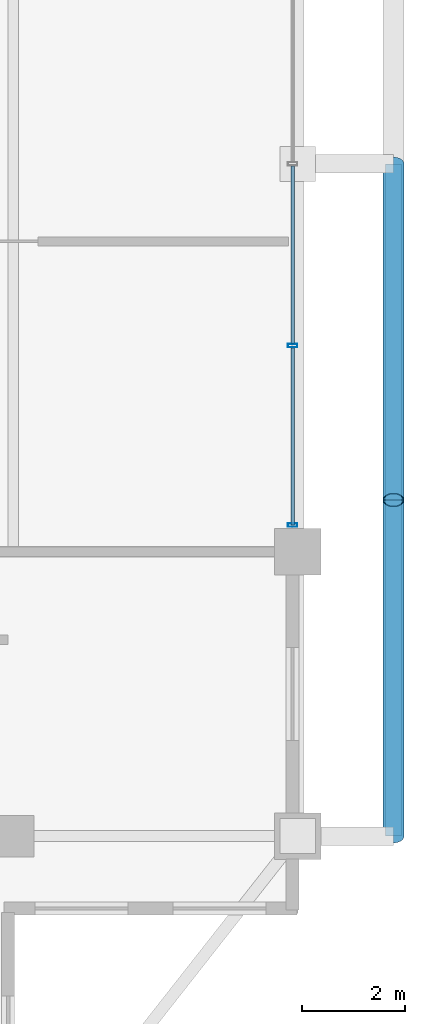
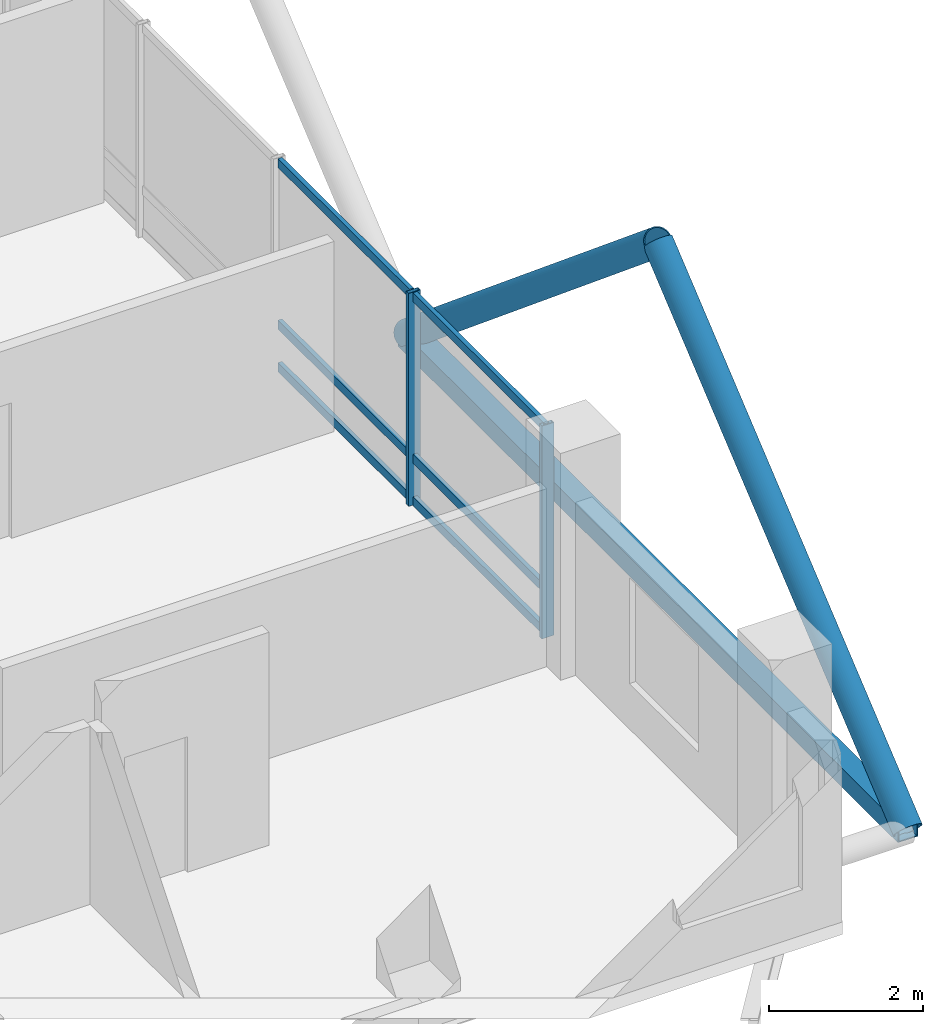
# One storey, part 12 of 24: 11 members, 1 element without a shape of its own.
"""IFC4 building model written with IfcOpenShell, lengths in metres."""

from ifc_helpers import new_model, si_unit, direction, frame, origin, origin_2d, place, context, subcontext, project, spatial, hollow_rectangle, hollow_circle, extrude, material, layer, layer_set, material_profile, profile_set, type_object, element, aggregate, save


model = new_model("IFC4")

# Units and contexts
model_context = context("Model", 3, precision=1e-05, world=origin(), true_north=direction((0.0, 1.0)))
body_context = subcontext(model_context, "Body", "Model", "MODEL_VIEW")
ifc_project = project(units=[si_unit("LENGTHUNIT", "METRE"), si_unit("AREAUNIT", "SQUARE_METRE"), si_unit("VOLUMEUNIT", "CUBIC_METRE"), si_unit("PLANEANGLEUNIT", "RADIAN"), si_unit("MASSUNIT", "GRAM", prefix="KILO")], contexts=[model_context])

# Site, building, storey
site_placement = place(None, origin())
site = spatial("IfcSite", under=ifc_project, at=site_placement, CompositionType="ELEMENT")
building_placement = place(site_placement, origin())
building = spatial("IfcBuilding", under=site, at=building_placement, Name="Barlavira Tower and Art Museum", CompositionType="ELEMENT")
storey_placement = place(building_placement, frame((0.0, 0.0, 272.699951171875)))
storey = spatial("IfcBuildingStorey", under=building, at=storey_placement, Name="L71", CompositionType="ELEMENT", Elevation=272.699951171875)

# Curtain wall, members
ifc_material_1 = material(Name="Low-iron coastal laminated glass", Category="glass")
ifc_layer = layer(ifc_material_1, 0.2099609375, Name="Low-iron coastal laminated glass")
ifc_layer_set = layer_set([ifc_layer], Name="Low-iron coastal laminated glass")
curtain_wall_type = type_object("IfcCurtainWallType", Name="Pale-Metal Unitised Curtain Wall Zone 4", PredefinedType="NOTDEFINED", material=ifc_layer_set)
curtain_wall_placement = place(storey_placement, origin())
curtain_wall = element("IfcCurtainWall", 1, at=curtain_wall_placement, inside=storey, type_object=curtain_wall_type, Name="L71 Curtain Wall CW4-L71-E-B3", PredefinedType="NOTDEFINED")
ifc_material_2 = material(Name="Pale anodised aluminium", Category="aluminium")
ifc_material_profile_1 = material_profile(ifc_material_2, hollow_rectangle(XDim=0.06494140625, YDim=0.179931640625, WallThickness=0.00390625, at=origin_2d()), Name="ALU-MULL 65x180x4")
ifc_profile_set_1 = profile_set([ifc_material_profile_1], Name="Pale anodised aluminium")
member_type_1 = type_object("IfcMemberType", Name="Curtain Wall Pale-Metal Mullion 65x180", PredefinedType="MULLION", material=ifc_profile_set_1)
member_1_placement = place(storey_placement, frame((16.89990234375, -6.985107421875, 0.0), z_axis=(0.0, 0.0, 1.0), x_axis=(0.0, 1.0, 0.0)))
member_1 = element("IfcMember", 2, at=member_1_placement, type_object=member_type_1, Name="CW4-L71-E-B3 Mullion 0", PredefinedType="MULLION", context=body_context, shape_type="SweptSolid", body=[
    extrude(hollow_rectangle(XDim=0.06494140625, YDim=0.179931640625, WallThickness=0.00390625, at=origin_2d()), origin(), (0.0, 0.0, 1.0), 3.380126953125),
])
member_2_placement = place(storey_placement, frame((16.89990234375, -3.514892578125, 0.0), z_axis=(0.0, 0.0, 1.0), x_axis=(0.0, 1.0, 0.0)))
member_2 = element("IfcMember", 3, at=member_2_placement, type_object=member_type_1, Name="CW4-L71-E-B3 Mullion 1", PredefinedType="MULLION", context=body_context, shape_type="SweptSolid", body=[
    extrude(hollow_rectangle(XDim=0.06494140625, YDim=0.179931640625, WallThickness=0.00390625, at=origin_2d()), origin(), (0.0, 0.0, 1.0), 3.380126953125),
])
ifc_material_profile_2 = material_profile(ifc_material_2, hollow_rectangle(XDim=0.06494140625, YDim=0.139892578125, WallThickness=0.00390625, at=origin_2d()), Name="ALU-TRAN 65x140x4")
ifc_profile_set_2 = profile_set([ifc_material_profile_2], Name="Pale anodised aluminium")
member_type_2 = type_object("IfcMemberType", Name="Curtain Wall Pale-Metal Transom 65x140", PredefinedType="USERDEFINED", material=ifc_profile_set_2)
member_3_placement = place(storey_placement, frame((16.89990234375, -6.985107421875, 0.070068359375), z_axis=(0.0, 1.0, 0.0), x_axis=(-1.0, 0.0, 0.0)))
member_3 = element("IfcMember", 4, at=member_3_placement, type_object=member_type_2, Name="CW4-L71-E-B3 Transom 0.1", ObjectType="TRANSOM", PredefinedType="USERDEFINED", context=body_context, shape_type="SweptSolid", body=[
    extrude(hollow_rectangle(XDim=0.06494140625, YDim=0.139892578125, WallThickness=0.00390625, at=origin_2d()), origin(), (0.0, 0.0, 1.0), 3.425048828125),
])
member_4_placement = place(storey_placement, frame((16.89990234375, -6.985107421875, 0.744140625), z_axis=(0.0, 1.0, 0.0), x_axis=(-1.0, 0.0, 0.0)))
member_4 = element("IfcMember", 5, at=member_4_placement, type_object=member_type_2, Name="CW4-L71-E-B3 Transom 0.2", ObjectType="TRANSOM", PredefinedType="USERDEFINED", context=body_context, shape_type="SweptSolid", body=[
    extrude(hollow_rectangle(XDim=0.06494140625, YDim=0.139892578125, WallThickness=0.00390625, at=origin_2d()), origin(), (0.0, 0.0, 1.0), 3.425048828125),
])
member_5_placement = place(storey_placement, frame((16.89990234375, -6.985107421875, 3.31005859375), z_axis=(0.0, 1.0, 0.0), x_axis=(-1.0, 0.0, 0.0)))
member_5 = element("IfcMember", 6, at=member_5_placement, type_object=member_type_2, Name="CW4-L71-E-B3 Transom 0.3", ObjectType="TRANSOM", PredefinedType="USERDEFINED", context=body_context, shape_type="SweptSolid", body=[
    extrude(hollow_rectangle(XDim=0.06494140625, YDim=0.139892578125, WallThickness=0.00390625, at=origin_2d()), origin(), (0.0, 0.0, 1.0), 3.425048828125),
])
member_6_placement = place(storey_placement, frame((16.89990234375, -3.469970703125, 0.070068359375), z_axis=(0.0, 1.0, 0.0), x_axis=(-1.0, 0.0, 0.0)))
member_6 = element("IfcMember", 7, at=member_6_placement, type_object=member_type_2, Name="CW4-L71-E-B3 Transom 1.1", ObjectType="TRANSOM", PredefinedType="USERDEFINED", context=body_context, shape_type="SweptSolid", body=[
    extrude(hollow_rectangle(XDim=0.06494140625, YDim=0.139892578125, WallThickness=0.00390625, at=origin_2d()), origin(), (0.0, 0.0, 1.0), 3.425048828125),
])
member_7_placement = place(storey_placement, frame((16.89990234375, -3.469970703125, 0.744140625), z_axis=(0.0, 1.0, 0.0), x_axis=(-1.0, 0.0, 0.0)))
member_7 = element("IfcMember", 8, at=member_7_placement, type_object=member_type_2, Name="CW4-L71-E-B3 Transom 1.2", ObjectType="TRANSOM", PredefinedType="USERDEFINED", context=body_context, shape_type="SweptSolid", body=[
    extrude(hollow_rectangle(XDim=0.06494140625, YDim=0.139892578125, WallThickness=0.00390625, at=origin_2d()), origin(), (0.0, 0.0, 1.0), 3.425048828125),
])
member_8_placement = place(storey_placement, frame((16.89990234375, -3.469970703125, 3.31005859375), z_axis=(0.0, 1.0, 0.0), x_axis=(-1.0, 0.0, 0.0)))
member_8 = element("IfcMember", 9, at=member_8_placement, type_object=member_type_2, Name="CW4-L71-E-B3 Transom 1.3", ObjectType="TRANSOM", PredefinedType="USERDEFINED", context=body_context, shape_type="SweptSolid", body=[
    extrude(hollow_rectangle(XDim=0.06494140625, YDim=0.139892578125, WallThickness=0.00390625, at=origin_2d()), origin(), (0.0, 0.0, 1.0), 3.425048828125),
])
aggregate(curtain_wall, [member_1, member_2, member_3, member_4, member_5, member_6, member_7, member_8])

# Members
ifc_material_3 = material(Name="Steel S355", Category="steel")
ifc_material_profile_3 = material_profile(ifc_material_3, hollow_circle(Radius=0.203125, WallThickness=0.01611328125, at=origin_2d()), Name="CHS 406.4x16.0")
ifc_profile_set_3 = profile_set([ifc_material_profile_3], Name="Steel S355")
member_type_3 = type_object("IfcMemberType", Name="Pale-Metal Exoskeleton Diagrid Tube CHS 406x16 Steel S355", PredefinedType="BRACE", material=ifc_profile_set_3)
for number, where, z_axis, x_axis, name in (
    (10, (18.85009765625, -13.0, -0.119873046875), (0.0, 0.769196053329, 0.639012857104), (-1.0, 0.0, 0.0), "L71 Exoskeleton Diagrid Tube E"),
    (11, (18.85009765625, 0.0, -0.119873046875), (0.0, -0.769196053329, 0.639012857104), (1.0, 0.0, 0.0), "L71 Exoskeleton Diagrid Tube E"),
):
    element("IfcMember", number, at=place(storey_placement, frame(where, z_axis=z_axis, x_axis=x_axis)), inside=storey, type_object=member_type_3, Name=name, PredefinedType="BRACE", context=body_context, shape_type="SweptSolid", body=[
        extrude(hollow_circle(Radius=0.203125, WallThickness=0.01611328125, at=origin_2d()), origin(), (0.0, 0.0, 1.0), 8.450439453125),
    ])
ifc_material_profile_4 = material_profile(ifc_material_3, hollow_rectangle(XDim=0.300048828125, YDim=0.300048828125, WallThickness=0.01611328125, at=origin_2d()), Name="SHS 300x300x16.0")
ifc_profile_set_4 = profile_set([ifc_material_profile_4], Name="Steel S355")
member_type_4 = type_object("IfcMemberType", Name="Pale-Metal Upper Ring Strut SHS 300x300x16 Steel S355", PredefinedType="STRUT", material=ifc_profile_set_4)
member_9_placement = place(storey_placement, frame((18.85009765625, -13.0, -0.119873046875), z_axis=(0.0, 1.0, 0.0), x_axis=(-1.0, 0.0, 0.0)))
element("IfcMember", 12, at=member_9_placement, inside=storey, type_object=member_type_4, Name="L71 Exoskeleton Ring Strut E", PredefinedType="STRUT", context=body_context, shape_type="SweptSolid", body=[
    extrude(hollow_rectangle(XDim=0.300048828125, YDim=0.300048828125, WallThickness=0.01611328125, at=origin_2d()), origin(), (0.0, 0.0, 1.0), 13.0),
])

save(model, "model.ifc")
